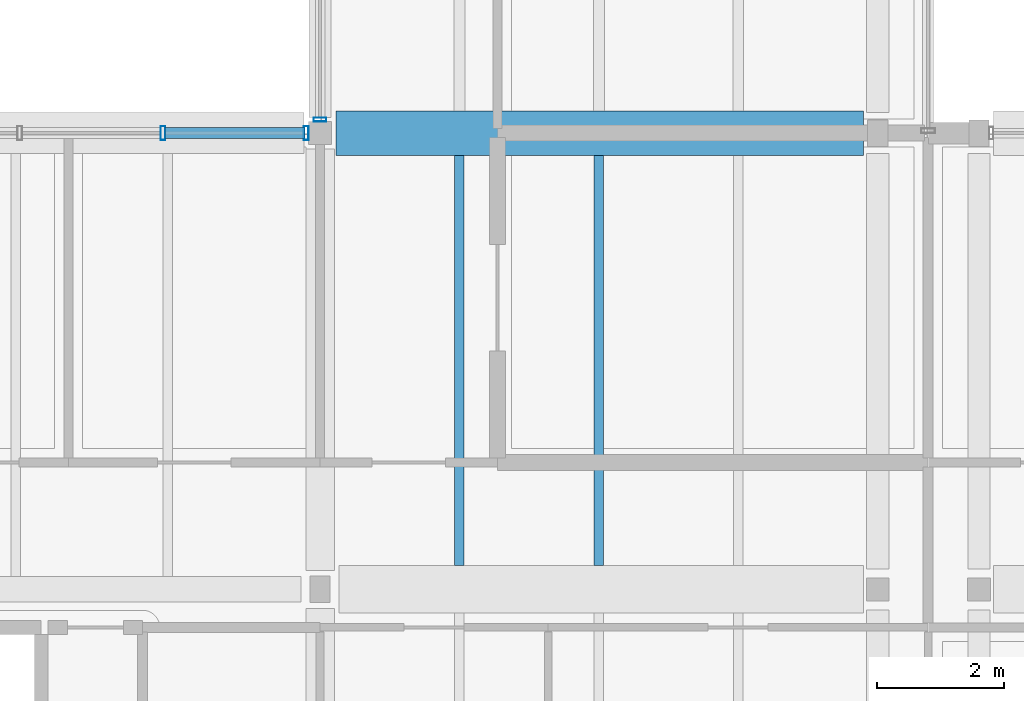
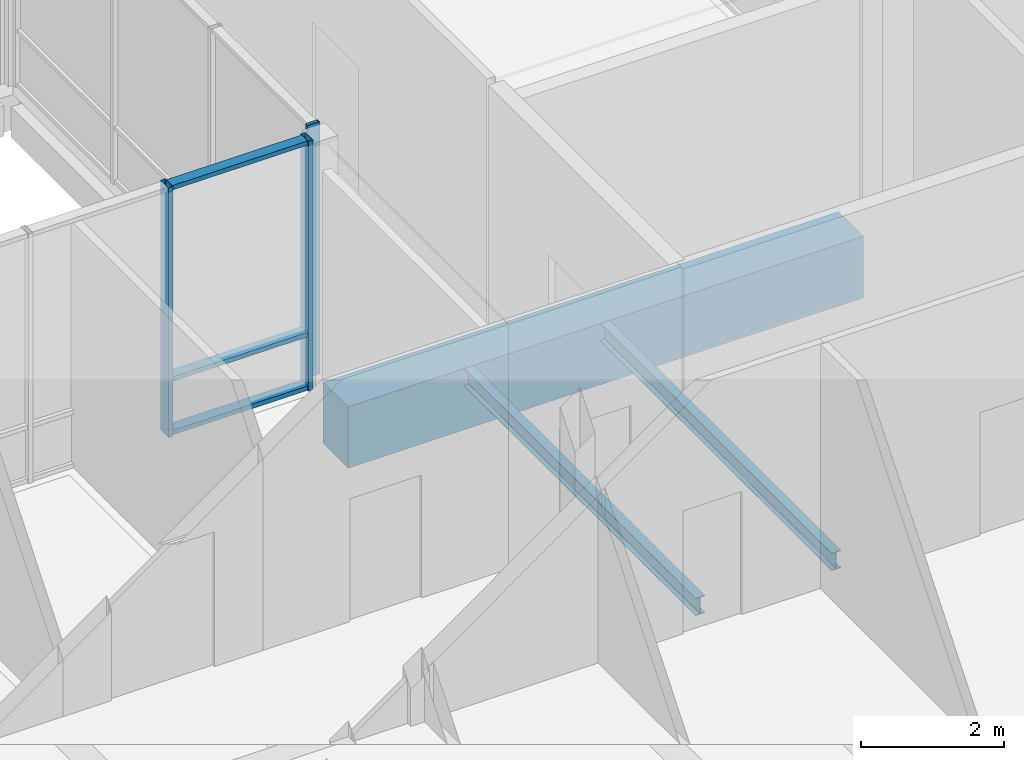
# One storey, part 35 of 146: 6 members, 3 beams, 2 elements without a shape of their own.
"""IFC4 building model written with IfcOpenShell, lengths in metres."""

from ifc_helpers import new_model, si_unit, direction, frame, origin, origin_2d, place, context, subcontext, project, spatial, rectangle, hollow_rectangle, i_section, extrude, material, material_profile, profile_set, type_object, element, aggregate, save


model = new_model("IFC4")

# Units and contexts
model_context = context("Model", 3, precision=1e-05, world=origin(), true_north=direction((0.0, 1.0)))
body_context = subcontext(model_context, "Body", "Model", "MODEL_VIEW")
ifc_project = project(units=[si_unit("LENGTHUNIT", "METRE"), si_unit("AREAUNIT", "SQUARE_METRE"), si_unit("VOLUMEUNIT", "CUBIC_METRE"), si_unit("PLANEANGLEUNIT", "RADIAN"), si_unit("MASSUNIT", "GRAM", prefix="KILO")], contexts=[model_context])

# Site, building, storey
site_placement = place(None, origin())
site = spatial("IfcSite", under=ifc_project, at=site_placement, CompositionType="ELEMENT")
building_placement = place(site_placement, origin())
building = spatial("IfcBuilding", under=site, at=building_placement, Name="Hawrajan Terrace Health Centre", CompositionType="ELEMENT")
storey_placement = place(building_placement, frame((0.0, 0.0, 4.5)))
storey = spatial("IfcBuildingStorey", under=building, at=storey_placement, Name="L01", CompositionType="ELEMENT", Elevation=4.5)

# Curtain wall, member
ifc_material_1 = material(Name="Anodized bronze aluminium and low-E solar glazing", Category="aluminium")
curtain_wall_type_1 = type_object("IfcCurtainWallType", Name="CW_Hall_SeriesD1", PredefinedType="USERDEFINED", material=ifc_material_1)
curtain_wall_1_placement = place(storey_placement, origin())
curtain_wall_1 = element("IfcCurtainWall", 1, at=curtain_wall_1_placement, inside=storey, type_object=curtain_wall_type_1, Name="Curtain wall CW-L01-082", ObjectType="UNITISED CURTAIN WALL", PredefinedType="USERDEFINED")
ifc_material_2 = material(Name="Anodized bronze aluminium 6063-T6", Category="aluminium")
ifc_material_profile_1 = material_profile(ifc_material_2, hollow_rectangle(XDim=0.06494140625, YDim=0.199951171875, WallThickness=0.00439453125, at=origin_2d()), Name="CW MUL 65x200")
ifc_profile_set_1 = profile_set([ifc_material_profile_1], Name="Anodized bronze aluminium 6063-T6")
member_type_1 = type_object("IfcMemberType", Name="CWMullion_65x200", PredefinedType="MULLION", material=ifc_profile_set_1)
member_1_placement = place(storey_placement, frame((62.199951171875, 18.8125, -0.0048828125), z_axis=(0.0, 0.0, 1.0), x_axis=(0.0, 1.0, 0.0)))
member_1 = element("IfcMember", 2, at=member_1_placement, type_object=member_type_1, Name="Mullion CW-L01-082-M1", PredefinedType="MULLION", context=body_context, shape_type="SweptSolid", body=[
    extrude(hollow_rectangle(XDim=0.06494140625, YDim=0.199951171875, WallThickness=0.00439453125, at=origin_2d()), origin(), (0.0, 0.0, 1.0), 4.309814453125),
])
aggregate(curtain_wall_1, [member_1])

# Curtain wall, members
curtain_wall_type_2 = type_object("IfcCurtainWallType", Name="CW_Court_SeriesB2", PredefinedType="USERDEFINED", material=ifc_material_1)
curtain_wall_2_placement = place(storey_placement, origin())
curtain_wall_2 = element("IfcCurtainWall", 3, at=curtain_wall_2_placement, inside=storey, type_object=curtain_wall_type_2, Name="Curtain wall CW-L01-077", ObjectType="UNITISED CURTAIN WALL", PredefinedType="USERDEFINED")
ifc_material_profile_2 = material_profile(ifc_material_2, hollow_rectangle(XDim=0.074951171875, YDim=0.219970703125, WallThickness=0.0048828125, at=origin_2d()), Name="CW MUL 75x220")
ifc_profile_set_2 = profile_set([ifc_material_profile_2], Name="Anodized bronze aluminium 6063-T6")
member_type_2 = type_object("IfcMemberType", Name="CWMullion_75x220", PredefinedType="MULLION", material=ifc_profile_set_2)
member_2_placement = place(storey_placement, frame((59.720703125, 18.60009765625, -0.0048828125), z_axis=(0.0, 0.0, 1.0), x_axis=(1.0, 0.0, 0.0)))
member_2 = element("IfcMember", 4, at=member_2_placement, type_object=member_type_2, Name="Mullion CW-L01-077-M3", PredefinedType="MULLION", context=body_context, shape_type="SweptSolid", body=[
    extrude(hollow_rectangle(XDim=0.074951171875, YDim=0.219970703125, WallThickness=0.0048828125, at=origin_2d()), origin(), (0.0, 0.0, 1.0), 4.269775390625),
])
member_3_placement = place(storey_placement, frame((61.982421875, 18.60009765625, -0.0048828125), z_axis=(0.0, 0.0, 1.0), x_axis=(1.0, 0.0, 0.0)))
member_3 = element("IfcMember", 5, at=member_3_placement, type_object=member_type_2, Name="Mullion CW-L01-077-M4", PredefinedType="MULLION", context=body_context, shape_type="SweptSolid", body=[
    extrude(hollow_rectangle(XDim=0.074951171875, YDim=0.219970703125, WallThickness=0.0048828125, at=origin_2d()), origin(), (0.0, 0.0, 1.0), 4.269775390625),
])
ifc_material_profile_3 = material_profile(ifc_material_2, hollow_rectangle(XDim=0.074951171875, YDim=0.169921875, WallThickness=0.00439453125, at=origin_2d()), Name="CW TRN 75x170")
ifc_profile_set_3 = profile_set([ifc_material_profile_3], Name="Anodized bronze aluminium 6063-T6")
member_type_3 = type_object("IfcMemberType", Name="CWTransom_75x170", PredefinedType="USERDEFINED", material=ifc_profile_set_3)
member_4_placement = place(storey_placement, frame((59.752197265625, 18.60009765625, 0.03759765625), z_axis=(1.0, 0.0, 0.0), x_axis=(0.0, 0.0, 1.0)))
member_4 = element("IfcMember", 6, at=member_4_placement, type_object=member_type_3, Name="Transom CW-L01-077-T3-1", ObjectType="TRANSOM", PredefinedType="USERDEFINED", context=body_context, shape_type="SweptSolid", body=[
    extrude(hollow_rectangle(XDim=0.074951171875, YDim=0.169921875, WallThickness=0.00439453125, at=origin_2d()), origin(), (0.0, 0.0, 1.0), 2.19873046875),
])
member_5_placement = place(storey_placement, frame((59.752197265625, 18.60009765625, 0.949951171875), z_axis=(1.0, 0.0, 0.0), x_axis=(0.0, 0.0, 1.0)))
member_5 = element("IfcMember", 7, at=member_5_placement, type_object=member_type_3, Name="Transom CW-L01-077-T3-2", ObjectType="TRANSOM", PredefinedType="USERDEFINED", context=body_context, shape_type="SweptSolid", body=[
    extrude(hollow_rectangle(XDim=0.074951171875, YDim=0.169921875, WallThickness=0.00439453125, at=origin_2d()), origin(), (0.0, 0.0, 1.0), 2.19873046875),
])
member_6_placement = place(storey_placement, frame((59.752197265625, 18.60009765625, 4.222412109375), z_axis=(1.0, 0.0, 0.0), x_axis=(0.0, 0.0, 1.0)))
member_6 = element("IfcMember", 8, at=member_6_placement, type_object=member_type_3, Name="Transom CW-L01-077-T3-3", ObjectType="TRANSOM", PredefinedType="USERDEFINED", context=body_context, shape_type="SweptSolid", body=[
    extrude(hollow_rectangle(XDim=0.074951171875, YDim=0.169921875, WallThickness=0.00439453125, at=origin_2d()), origin(), (0.0, 0.0, 1.0), 2.19873046875),
])
aggregate(curtain_wall_2, [member_2, member_3, member_4, member_5, member_6])

# Beams
ifc_material_3 = material(Name="Concrete C40/50", Category="concrete")
ifc_material_profile_4 = material_profile(ifc_material_3, rectangle(XDim=0.699951171875, YDim=1.050048828125, at=origin_2d()), Name="RC TG 700x1050")
ifc_profile_set_4 = profile_set([ifc_material_profile_4], Name="Concrete C40/50")
beam_type_1 = type_object("IfcBeamType", Name="RCTransferGirder_700x1050", PredefinedType="BEAM", material=ifc_profile_set_4)
beam_placement = place(storey_placement, frame((62.449951171875, 18.60009765625, -0.824951171875), z_axis=(1.0, 0.0, 0.0), x_axis=(0.0, 1.0, 0.0)))
element("IfcBeam", 9, at=beam_placement, inside=storey, type_object=beam_type_1, Name="Beam BM-X-L01-W-09-Y3", PredefinedType="BEAM", context=body_context, shape_type="SweptSolid", body=[
    extrude(rectangle(XDim=0.699951171875, YDim=1.050048828125, at=origin_2d()), origin(), (0.0, 0.0, 1.0), 8.324951171875),
])
ifc_material_4 = material(Name="Steel S355", Category="steel")
ifc_material_profile_5 = material_profile(ifc_material_4, i_section(OverallWidth=0.14990234375, OverallDepth=0.300048828125, WebThickness=0.007080078125, FlangeThickness=0.0107421875, FilletRadius=0.014892578125, at=origin_2d()), Name="IPE 300")
ifc_profile_set_5 = profile_set([ifc_material_profile_5], Name="Steel S355")
beam_type_2 = type_object("IfcBeamType", Name="SteelBeam_IPE300", PredefinedType="JOIST", material=ifc_profile_set_5)
for number, where, z_axis, x_axis, name in (
    (10, (64.39990234375, 11.77490234375, -0.449951171875), (0.0, 1.0, 0.0), (-1.0, 0.0, 0.0), "Secondary joist JST-L01-W-09-2-1"),
    (11, (66.60009765625, 11.77490234375, -0.449951171875), (0.0, 1.0, 0.0), (-1.0, 0.0, 0.0), "Secondary joist JST-L01-W-09-2-2"),
):
    element("IfcBeam", number, at=place(storey_placement, frame(where, z_axis=z_axis, x_axis=x_axis)), inside=storey, type_object=beam_type_2, Name=name, PredefinedType="JOIST", context=body_context, shape_type="SweptSolid", body=[
        extrude(i_section(OverallWidth=0.14990234375, OverallDepth=0.300048828125, WebThickness=0.007080078125, FlangeThickness=0.0107421875, FilletRadius=0.014892578125, at=origin_2d()), origin(), (0.0, 0.0, 1.0), 6.47509765625),
    ])

save(model, "model.ifc")
